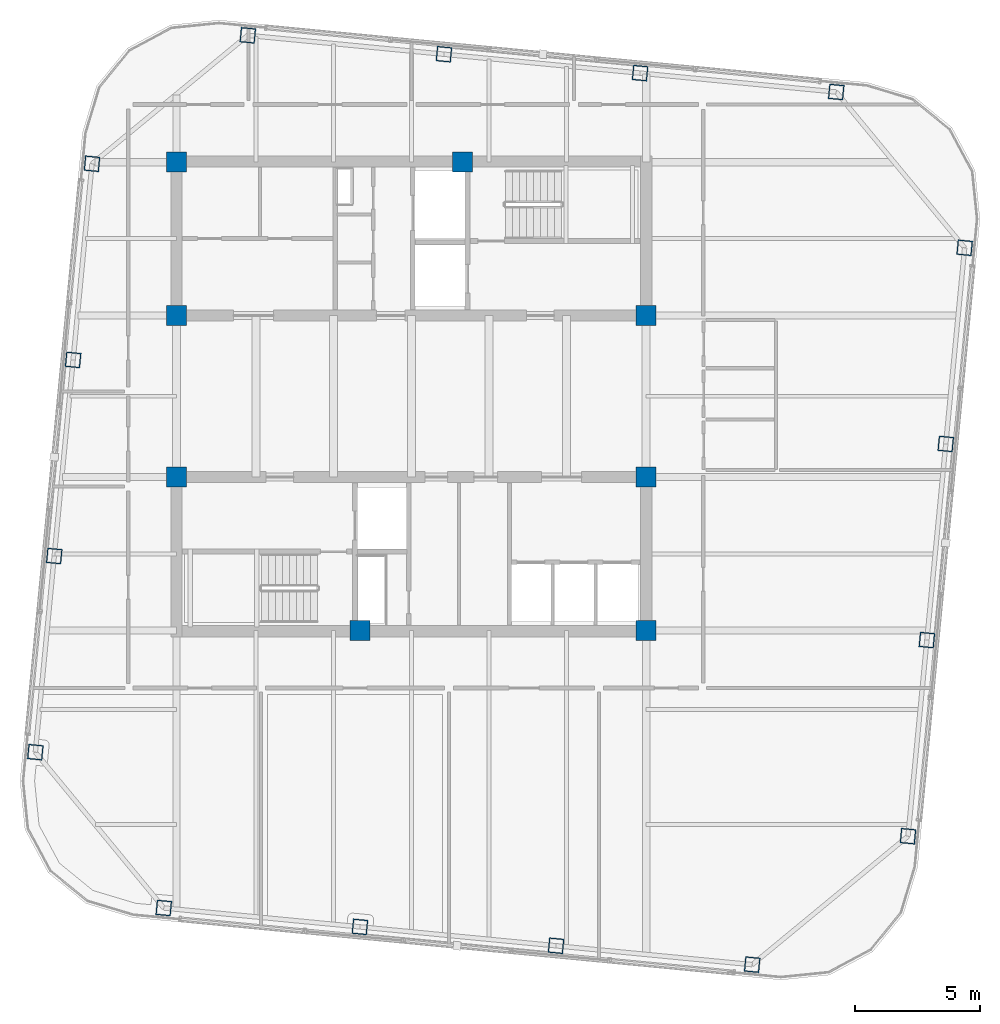
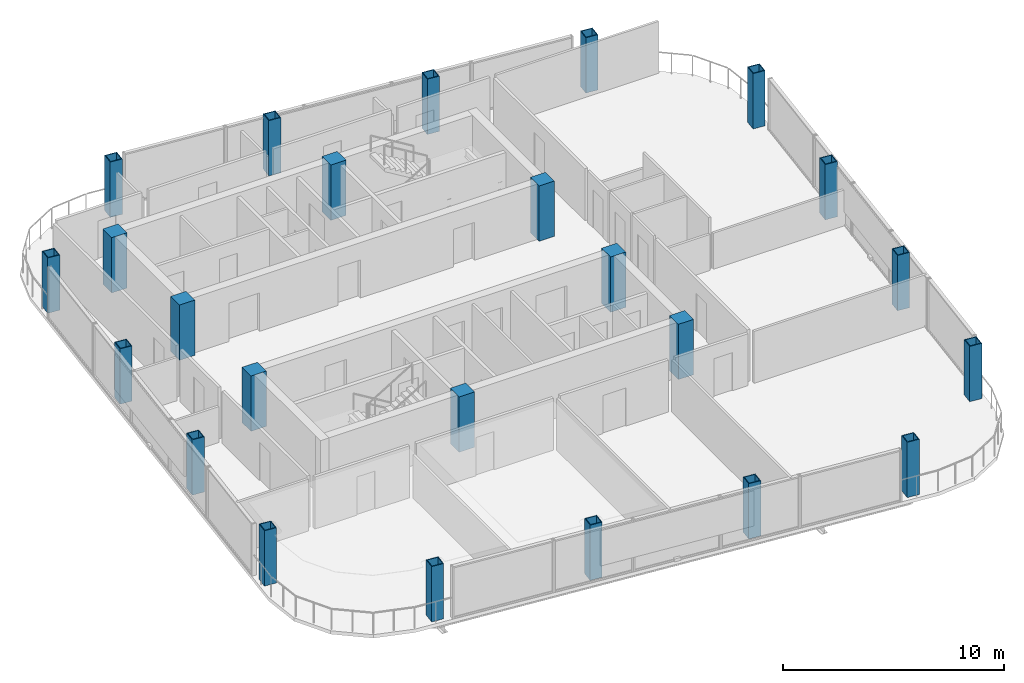
# One storey, part 1 of 23: 24 columns.
"""IFC4 building model written with IfcOpenShell, lengths in metres."""

from ifc_helpers import new_model, si_unit, direction, frame, origin, origin_2d, place, context, subcontext, project, spatial, rectangle, hollow_rectangle, extrude, material, material_profile, profile_set, type_object, element, save


model = new_model("IFC4")

# Units and contexts
model_context = context("Model", 3, precision=1e-05, world=origin(), true_north=direction((0.0, 1.0)))
body_context = subcontext(model_context, "Body", "Model", "MODEL_VIEW")
ifc_project = project(units=[si_unit("LENGTHUNIT", "METRE"), si_unit("AREAUNIT", "SQUARE_METRE"), si_unit("VOLUMEUNIT", "CUBIC_METRE"), si_unit("PLANEANGLEUNIT", "RADIAN"), si_unit("MASSUNIT", "GRAM", prefix="KILO")], contexts=[model_context])

# Site, building, storey
site_placement = place(None, origin())
site = spatial("IfcSite", under=ifc_project, at=site_placement, CompositionType="ELEMENT")
building_placement = place(site_placement, origin())
building = spatial("IfcBuilding", under=site, at=building_placement, Name="Qhalaya Broadcast Tower", CompositionType="ELEMENT")
storey_placement = place(building_placement, frame((0.0, 0.0, 264.199951171875)))
storey = spatial("IfcBuildingStorey", under=building, at=storey_placement, Name="L78", CompositionType="ELEMENT", Elevation=264.199951171875)

# Columns
ifc_material_1 = material(Name="Concrete C50/60", Category="concrete")
ifc_material_profile_1 = material_profile(ifc_material_1, rectangle(XDim=0.800048828125, YDim=0.800048828125, at=origin_2d()), Name="RC-COL 800x800")
ifc_profile_set_1 = profile_set([ifc_material_profile_1], Name="Concrete C50/60")
column_type_1 = type_object("IfcColumnType", Name="RC Upper Column C10", PredefinedType="COLUMN", material=ifc_profile_set_1)
for number, where, z_axis, x_axis, name in (
    (1, (-9.375, 9.949951171875, 0.0), (0.0, 0.0, 1.0), (1.0, 0.0, 0.0), "L78 Column COL-CC1"),
    (2, (2.050048828125, 9.949951171875, 0.0), (0.0, 0.0, 1.0), (1.0, 0.0, 0.0), "L78 Column COL-CC2"),
    (3, (-9.375, 3.824951171875, 0.0), (0.0, 0.0, 1.0), (1.0, 0.0, 0.0), "L78 Column COL-CC3"),
    (4, (9.375, 3.824951171875, 0.0), (0.0, 0.0, 1.0), (1.0, 0.0, 0.0), "L78 Column COL-CC4"),
    (5, (-9.375, -2.625, 0.0), (0.0, 0.0, 1.0), (1.0, 0.0, 0.0), "L78 Column COL-CC5"),
    (6, (9.375, -2.625, 0.0), (0.0, 0.0, 1.0), (1.0, 0.0, 0.0), "L78 Column COL-CC6"),
    (7, (-2.050048828125, -8.75, 0.0), (0.0, 0.0, 1.0), (1.0, 0.0, 0.0), "L78 Column COL-CC7"),
    (8, (9.375, -8.75, 0.0), (0.0, 0.0, 1.0), (1.0, 0.0, 0.0), "L78 Column COL-CC8"),
):
    element("IfcColumn", number, at=place(storey_placement, frame(where, z_axis=z_axis, x_axis=x_axis)), inside=storey, type_object=column_type_1, Name=name, PredefinedType="COLUMN", context=body_context, shape_type="SweptSolid", body=[
        extrude(rectangle(XDim=0.800048828125, YDim=0.800048828125, at=origin_2d()), origin(), (0.0, 0.0, 1.0), 3.050048828125),
    ])
ifc_material_2 = material(Name="Structural Steel ASTM A572 Grade 50", Category="steel")
ifc_material_profile_2 = material_profile(ifc_material_2, hollow_rectangle(XDim=0.60009765625, YDim=0.60009765625, WallThickness=0.0400390625, at=origin_2d()), Name="BOX 600x600x40")
ifc_profile_set_2 = profile_set([ifc_material_profile_2], Name="Structural Steel ASTM A572 Grade 50")
column_type_2 = type_object("IfcColumnType", Name="Steel Box Column C05", PredefinedType="COLUMN", material=ifc_profile_set_2)
for number, where, z_axis, x_axis, name in (
    (9, (-9.883056640625, -19.82861328125, 0.0), (0.0, 0.0, 1.0), (0.995396198367, -0.09584575252, 0.0), "L78 Column COL-EX01"),
    (10, (-2.052490234375, -20.58251953125, 0.0), (0.0, 0.0, 1.0), (0.995396198367, -0.09584575252, 0.0), "L78 Column COL-EX02"),
    (11, (5.77783203125, -21.33642578125, 0.0), (0.0, 0.0, 1.0), (0.995396198367, -0.09584575252, 0.0), "L78 Column COL-EX03"),
    (12, (13.6083984375, -22.09033203125, 0.0), (0.0, 0.0, 1.0), (0.995396198367, -0.09584575252, 0.0), "L78 Column COL-EX04"),
    (13, (19.82861328125, -16.962890625, 0.0), (0.0, 0.0, 1.0), (0.09584575252, 0.995396198367, 0.0), "L78 Column COL-EX05"),
    (14, (20.58251953125, -9.132568359375, 0.0), (0.0, 0.0, 1.0), (0.09584575252, 0.995396198367, 0.0), "L78 Column COL-EX06"),
    (15, (21.33642578125, -1.302001953125, 0.0), (0.0, 0.0, 1.0), (0.09584575252, 0.995396198367, 0.0), "L78 Column COL-EX07"),
    (16, (22.09033203125, 6.5283203125, 0.0), (0.0, 0.0, 1.0), (0.09584575252, 0.995396198367, 0.0), "L78 Column COL-EX08"),
    (17, (16.962890625, 12.74853515625, 0.0), (0.0, 0.0, 1.0), (0.995396198367, -0.09584575252, 0.0), "L78 Column COL-EX09"),
    (18, (9.132568359375, 13.50244140625, 0.0), (0.0, 0.0, 1.0), (0.995396198367, -0.09584575252, 0.0), "L78 Column COL-EX10"),
    (19, (1.302001953125, 14.25634765625, 0.0), (0.0, 0.0, 1.0), (0.995396198367, -0.09584575252, 0.0), "L78 Column COL-EX11"),
    (20, (-6.5283203125, 15.010498046875, 0.0), (0.0, 0.0, 1.0), (0.995396198367, -0.09584575252, 0.0), "L78 Column COL-EX12"),
    (21, (-12.74853515625, 9.883056640625, 0.0), (0.0, 0.0, 1.0), (0.09584575252, 0.995396198367, 0.0), "L78 Column COL-EX13"),
    (22, (-13.50244140625, 2.052490234375, 0.0), (0.0, 0.0, 1.0), (0.09584575252, 0.995396198367, 0.0), "L78 Column COL-EX14"),
    (23, (-14.25634765625, -5.77783203125, 0.0), (0.0, 0.0, 1.0), (0.09584575252, 0.995396198367, 0.0), "L78 Column COL-EX15"),
    (24, (-15.010498046875, -13.6083984375, 0.0), (0.0, 0.0, 1.0), (0.09584575252, 0.995396198367, 0.0), "L78 Column COL-EX16"),
):
    element("IfcColumn", number, at=place(storey_placement, frame(where, z_axis=z_axis, x_axis=x_axis)), inside=storey, type_object=column_type_2, Name=name, PredefinedType="COLUMN", context=body_context, shape_type="SweptSolid", body=[
        extrude(hollow_rectangle(XDim=0.60009765625, YDim=0.60009765625, WallThickness=0.0400390625, at=origin_2d()), origin(), (0.0, 0.0, 1.0), 3.050048828125),
    ])

save(model, "model.ifc")
